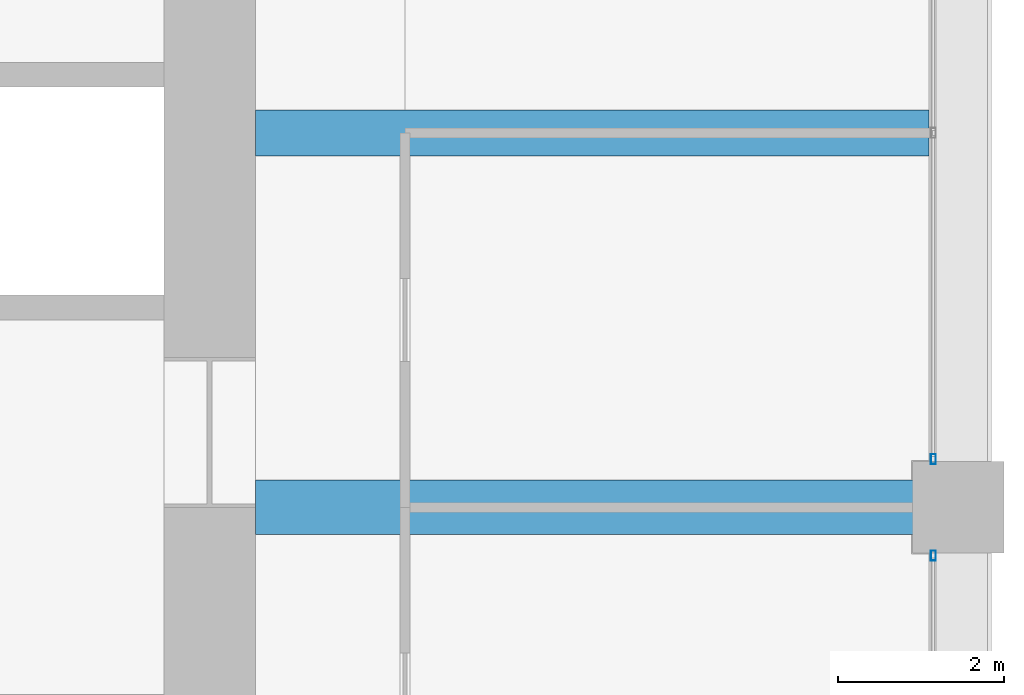
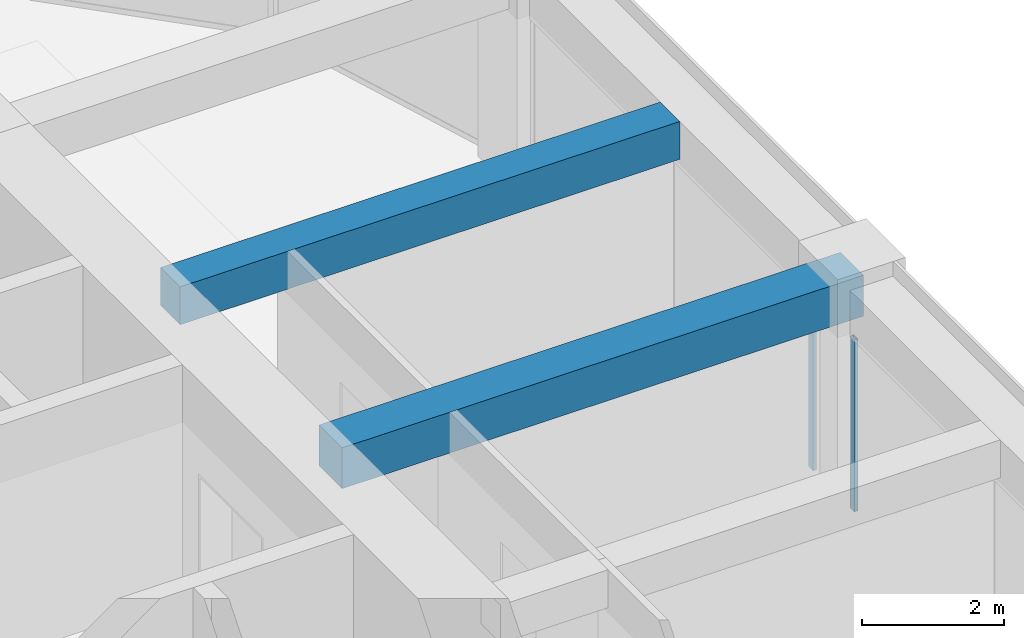
# One storey, part 26 of 44: 2 beams, 2 members, 2 elements without a shape of their own.
"""IFC4 building model written with IfcOpenShell, lengths in metres."""

from ifc_helpers import new_model, si_unit, direction, frame, origin, origin_2d, place, context, subcontext, project, spatial, rectangle, hollow_rectangle, extrude, material, material_profile, profile_set, type_object, element, aggregate, save


model = new_model("IFC4")

# Units and contexts
model_context = context("Model", 3, precision=1e-05, world=origin(), true_north=direction((0.0, 1.0)))
body_context = subcontext(model_context, "Body", "Model", "MODEL_VIEW")
ifc_project = project(units=[si_unit("LENGTHUNIT", "METRE"), si_unit("AREAUNIT", "SQUARE_METRE"), si_unit("VOLUMEUNIT", "CUBIC_METRE"), si_unit("PLANEANGLEUNIT", "RADIAN"), si_unit("MASSUNIT", "GRAM", prefix="KILO")], contexts=[model_context])

# Site, building, storey
site_placement = place(None, origin())
site = spatial("IfcSite", under=ifc_project, at=site_placement, CompositionType="ELEMENT")
building_placement = place(site_placement, origin())
building = spatial("IfcBuilding", under=site, at=building_placement, Name="Zorevar Civic Tower", CompositionType="ELEMENT")
storey_placement = place(building_placement, frame((0.0, 0.0, 299.39990234375)))
storey = spatial("IfcBuildingStorey", under=building, at=storey_placement, Name="L73", CompositionType="ELEMENT", Elevation=299.39990234375)

# Beams
ifc_material_1 = material(Name="Concrete C50/60", Category="concrete")
ifc_material_profile_1 = material_profile(ifc_material_1, rectangle(XDim=0.550048828125, YDim=0.64990234375, at=origin_2d()), Name="RC 550x650")
ifc_profile_set_1 = profile_set([ifc_material_profile_1], Name="Concrete C50/60")
beam_type_1 = type_object("IfcBeamType", Name="Beam RC 550x650", PredefinedType="BEAM", material=ifc_profile_set_1)
beam_1_placement = place(storey_placement, frame((45.550048828125, 31.5, 3.425048828125), z_axis=(1.0, 0.0, 0.0), x_axis=(0.0, 1.0, 0.0)))
element("IfcBeam", 1, at=beam_1_placement, inside=storey, type_object=beam_type_1, Name="Secondary beam L74", PredefinedType="BEAM", context=body_context, shape_type="SweptSolid", body=[
    extrude(rectangle(XDim=0.550048828125, YDim=0.64990234375, at=origin_2d()), origin(), (0.0, 0.0, 1.0), 8.099853515625),
])
ifc_material_2 = material(Name="Concrete C50/60", Category="concrete")
ifc_material_profile_2 = material_profile(ifc_material_2, rectangle(XDim=0.64990234375, YDim=0.699951171875, at=origin_2d()), Name="RC 650x700")
ifc_profile_set_2 = profile_set([ifc_material_profile_2], Name="Concrete C50/60")
beam_type_2 = type_object("IfcBeamType", Name="Beam RC 650x700", PredefinedType="BEAM", material=ifc_profile_set_2)
beam_2_placement = place(storey_placement, frame((45.550048828125, 27.0, 3.400146484375), z_axis=(1.0, 0.0, 0.0), x_axis=(0.0, 1.0, 0.0)))
element("IfcBeam", 2, at=beam_2_placement, inside=storey, type_object=beam_type_2, Name="Girder L74", PredefinedType="BEAM", context=body_context, shape_type="SweptSolid", body=[
    extrude(rectangle(XDim=0.64990234375, YDim=0.699951171875, at=origin_2d()), origin(), (0.0, 0.0, 1.0), 8.449951171875),
])

# Curtain wall, member
ifc_material_3 = material(Name="Dark grey solar-control glass in black aluminium frame", Category="aluminium")
curtain_wall_type = type_object("IfcCurtainWallType", Name="Curtain wall CW5 top zone", PredefinedType="NOTDEFINED", material=ifc_material_3)
curtain_wall_1_placement = place(storey_placement, origin())
curtain_wall_1 = element("IfcCurtainWall", 3, at=curtain_wall_1_placement, inside=storey, type_object=curtain_wall_type, Name="CW5 L73", PredefinedType="NOTDEFINED")
ifc_material_4 = material(Name="Aluminium, black anodised", Category="aluminium")
ifc_material_profile_3 = material_profile(ifc_material_4, hollow_rectangle(XDim=0.06005859375, YDim=0.1201171875, WallThickness=0.0029296875, at=origin_2d()), Name="AL 120x60x3")
ifc_profile_set_3 = profile_set([ifc_material_profile_3], Name="Aluminium, black anodised")
member_type = type_object("IfcMemberType", Name="CW5 mullion AL 120x60x3", PredefinedType="MULLION", material=ifc_profile_set_3)
member_1_placement = place(storey_placement, frame((53.699951171875, 26.419921875, 0.0), z_axis=(0.0, 0.0, 1.0), x_axis=(-1.0, 0.0, 0.0)))
member_1 = element("IfcMember", 4, at=member_1_placement, type_object=member_type, Name="CW5 mullion 3", PredefinedType="MULLION", context=body_context, shape_type="SweptSolid", body=[
    extrude(hollow_rectangle(XDim=0.06005859375, YDim=0.1201171875, WallThickness=0.0029296875, at=origin_2d()), origin(), (0.0, 0.0, 1.0), 2.9501953125),
])
aggregate(curtain_wall_1, [member_1])

curtain_wall_2_placement = place(storey_placement, origin())
curtain_wall_2 = element("IfcCurtainWall", 5, at=curtain_wall_2_placement, inside=storey, type_object=curtain_wall_type, Name="CW5 L73", PredefinedType="NOTDEFINED")
member_2_placement = place(storey_placement, frame((53.699951171875, 27.580078125, 0.0), z_axis=(0.0, 0.0, 1.0), x_axis=(-1.0, 0.0, 0.0)))
member_2 = element("IfcMember", 6, at=member_2_placement, type_object=member_type, Name="CW5 mullion 1", PredefinedType="MULLION", context=body_context, shape_type="SweptSolid", body=[
    extrude(hollow_rectangle(XDim=0.06005859375, YDim=0.1201171875, WallThickness=0.0029296875, at=origin_2d()), origin(), (0.0, 0.0, 1.0), 2.9501953125),
])
aggregate(curtain_wall_2, [member_2])

save(model, "model.ifc")
